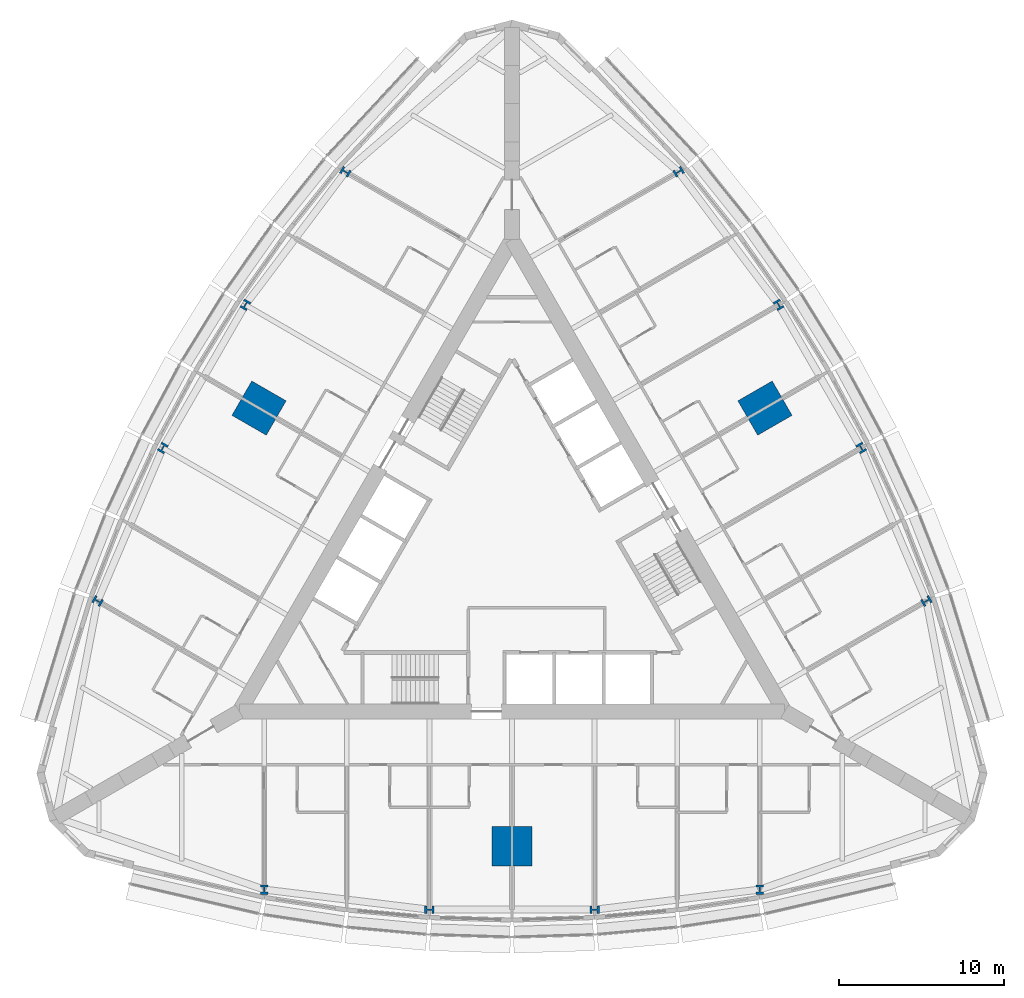
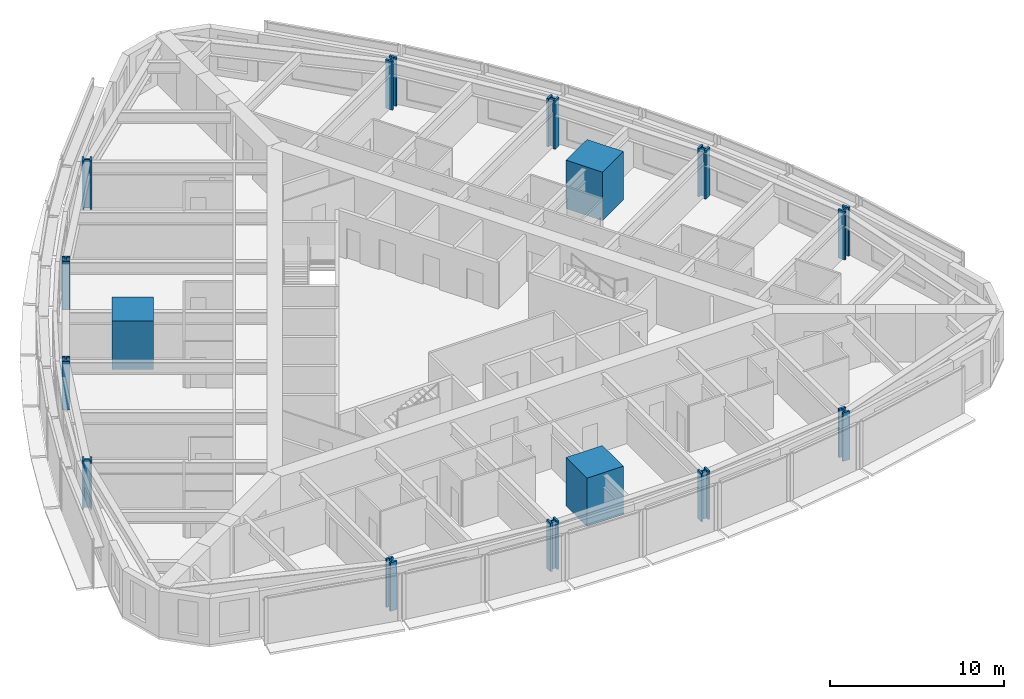
# One storey, part 1 of 14: 15 columns.
"""IFC4 building model written with IfcOpenShell, lengths in metres."""

from ifc_helpers import new_model, si_unit, direction, frame, origin, origin_2d, place, context, subcontext, project, spatial, rectangle, i_section, extrude, material, material_profile, profile_set, type_object, element, save


model = new_model("IFC4")

# Units and contexts
model_context = context("Model", 3, precision=1e-05, world=origin(), true_north=direction((0.0, 1.0)))
body_context = subcontext(model_context, "Body", "Model", "MODEL_VIEW")
ifc_project = project(units=[si_unit("LENGTHUNIT", "METRE"), si_unit("AREAUNIT", "SQUARE_METRE"), si_unit("VOLUMEUNIT", "CUBIC_METRE"), si_unit("PLANEANGLEUNIT", "RADIAN"), si_unit("MASSUNIT", "GRAM", prefix="KILO")], contexts=[model_context])

# Site, building, storey
site_placement = place(None, origin())
site = spatial("IfcSite", under=ifc_project, at=site_placement, CompositionType="ELEMENT")
building_placement = place(site_placement, origin())
building = spatial("IfcBuilding", under=site, at=building_placement, Name="Trikona Tower", CompositionType="ELEMENT")
storey_placement = place(building_placement, frame((0.0, 0.0, 35.300048828125)))
storey = spatial("IfcBuildingStorey", under=building, at=storey_placement, Name="L07", CompositionType="ELEMENT", Elevation=35.300048828125)

# Columns
ifc_material_1 = material(Name="Concrete f'c 10000 psi with encased steel section", Category="concrete")
ifc_material_profile_1 = material_profile(ifc_material_1, rectangle(XDim=2.39990234375, YDim=2.39990234375, at=origin_2d()), Name="MC2400")
ifc_profile_set_1 = profile_set([ifc_material_profile_1], Name="Concrete f'c 10000 psi with encased steel section")
column_type_1 = type_object("IfcColumnType", Name="Composite mega column 2400x2400", PredefinedType="COLUMN", material=ifc_profile_set_1)
for number, where, z_axis, x_axis, name in (
    (1, (0.0, -17.680419921875, 0.0), (0.0, 0.0, 1.0), (0.0, -1.0, 0.0), "Mega column MC1"),
    (2, (15.311767578125, 8.84033203125, 0.0), (0.0, 0.0, 1.0), (0.866025403784, 0.5, 0.0), "Mega column MC2"),
    (3, (-15.311767578125, 8.84033203125, 0.0), (0.0, 0.0, 1.0), (-0.866025403784, 0.5, 0.0), "Mega column MC3"),
):
    element("IfcColumn", number, at=place(storey_placement, frame(where, z_axis=z_axis, x_axis=x_axis)), inside=storey, type_object=column_type_1, Name=name, PredefinedType="COLUMN", context=body_context, shape_type="SweptSolid", body=[
        extrude(rectangle(XDim=2.39990234375, YDim=2.39990234375, at=origin_2d()), origin(), (0.0, 0.0, 1.0), 3.39990234375),
    ])
ifc_material_2 = material(Name="Steel ASTM A992 Grade 50", Category="steel")
ifc_material_profile_2 = material_profile(ifc_material_2, i_section(OverallWidth=0.45458984375, OverallDepth=0.56884765625, WebThickness=0.077880859375, FlangeThickness=0.124755859375, at=origin_2d()), Name="W14X730")
ifc_profile_set_2 = profile_set([ifc_material_profile_2], Name="Steel ASTM A992 Grade 50")
column_type_2 = type_object("IfcColumnType", Name="Steel column W14x730", PredefinedType="COLUMN", material=ifc_profile_set_2)
for number, where, z_axis, x_axis, name in (
    (4, (-15.0, -20.302978515625, 0.0), (0.0, 0.0, 1.0), (1.0, 0.0, 0.0), "Column F0m15"),
    (5, (-5.0, -21.5205078125, 0.0), (0.0, 0.0, 1.0), (0.0, -1.0, 0.0), "Column F0m5"),
    (6, (5.0, -21.5205078125, 0.0), (0.0, 0.0, 1.0), (0.0, -1.0, 0.0), "Column F0p5"),
    (7, (15.0, -20.302978515625, 0.0), (0.0, 0.0, 1.0), (1.0, 0.0, 0.0), "Column F0p15"),
    (8, (25.0830078125, -2.8388671875, 0.0), (0.0, 0.0, 1.0), (-0.5, 0.866025403784, 0.0), "Column F1m15"),
    (9, (21.13720703125, 6.43017578125, 0.0), (0.0, 0.0, 1.0), (0.866025403784, 0.5, 0.0), "Column F1m5"),
    (10, (16.13720703125, 15.09033203125, 0.0), (0.0, 0.0, 1.0), (0.866025403784, 0.5, 0.0), "Column F1p5"),
    (11, (10.0830078125, 23.141845703125, 0.0), (0.0, 0.0, 1.0), (-0.5, 0.866025403784, 0.0), "Column F1p15"),
    (12, (-10.0830078125, 23.141845703125, 0.0), (0.0, 0.0, 1.0), (-0.5, -0.866025403784, 0.0), "Column F2m15"),
    (13, (-16.13720703125, 15.09033203125, 0.0), (0.0, 0.0, 1.0), (-0.866025403784, 0.5, 0.0), "Column F2m5"),
    (14, (-21.13720703125, 6.43017578125, 0.0), (0.0, 0.0, 1.0), (-0.866025403784, 0.5, 0.0), "Column F2p5"),
    (15, (-25.0830078125, -2.8388671875, 0.0), (0.0, 0.0, 1.0), (-0.5, -0.866025403784, 0.0), "Column F2p15"),
):
    element("IfcColumn", number, at=place(storey_placement, frame(where, z_axis=z_axis, x_axis=x_axis)), inside=storey, type_object=column_type_2, Name=name, PredefinedType="COLUMN", context=body_context, shape_type="SweptSolid", body=[
        extrude(i_section(OverallWidth=0.45458984375, OverallDepth=0.56884765625, WebThickness=0.077880859375, FlangeThickness=0.124755859375, at=origin_2d()), origin(), (0.0, 0.0, 1.0), 3.39990234375),
    ])

save(model, "model.ifc")
